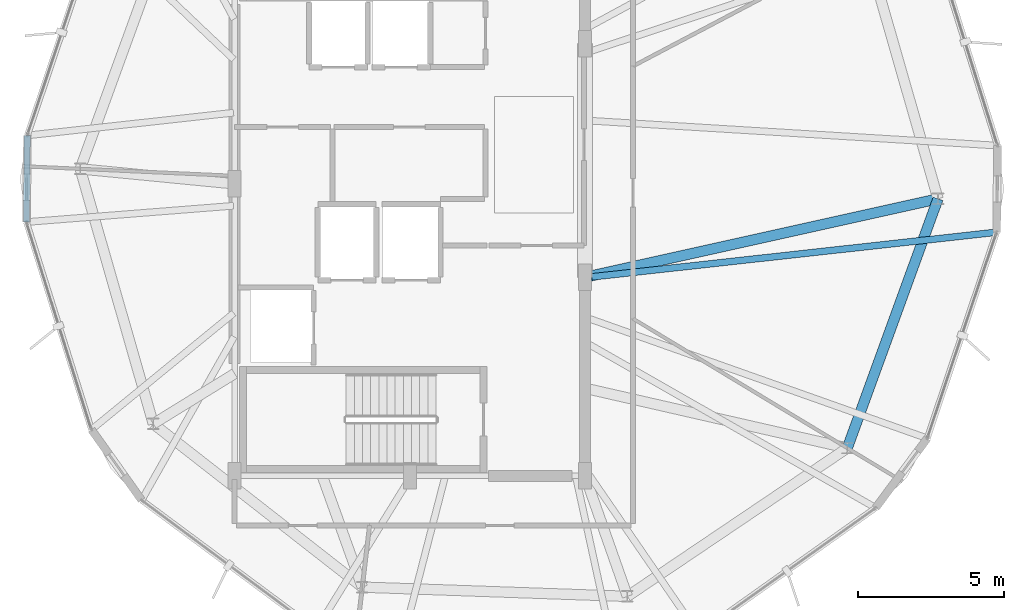
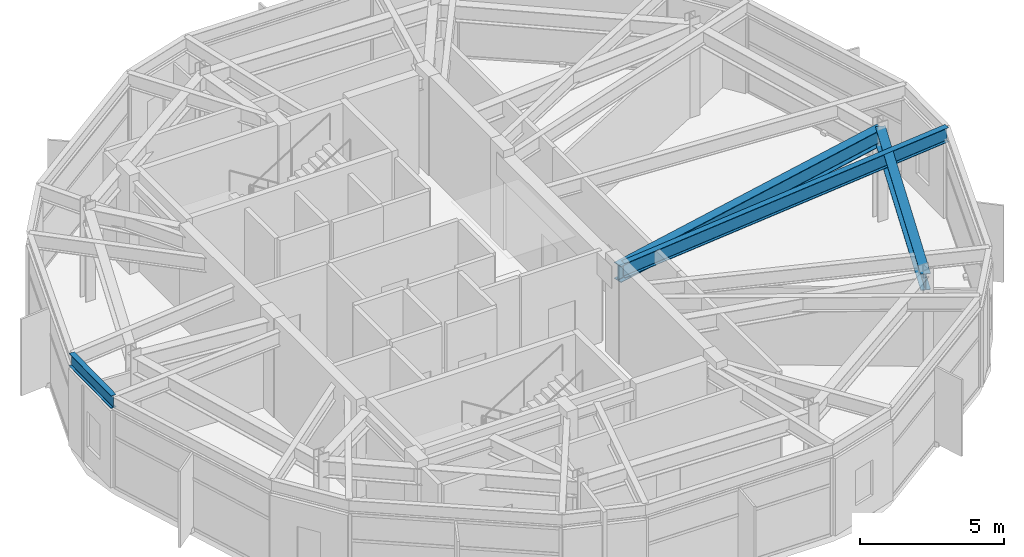
# One storey, part 7 of 19: 4 beams.
"""IFC4 building model written with IfcOpenShell, lengths in metres."""

from ifc_helpers import new_model, si_unit, direction, frame, origin, origin_2d, place, context, subcontext, project, spatial, i_section, extrude, material, material_profile, profile_set, type_object, element, save


model = new_model("IFC4")

# Units and contexts
model_context = context("Model", 3, precision=1e-05, world=origin(), true_north=direction((0.0, 1.0)))
body_context = subcontext(model_context, "Body", "Model", "MODEL_VIEW")
ifc_project = project(units=[si_unit("LENGTHUNIT", "METRE"), si_unit("AREAUNIT", "SQUARE_METRE"), si_unit("VOLUMEUNIT", "CUBIC_METRE"), si_unit("PLANEANGLEUNIT", "RADIAN"), si_unit("MASSUNIT", "GRAM", prefix="KILO")], contexts=[model_context])

# Site, building, storey
site_placement = place(None, origin())
site = spatial("IfcSite", under=ifc_project, at=site_placement, CompositionType="ELEMENT")
building_placement = place(site_placement, origin())
building = spatial("IfcBuilding", under=site, at=building_placement, Name="Soratama Intermodal Tower", CompositionType="ELEMENT")
storey_placement = place(building_placement, frame((0.0, 0.0, 297.25)))
storey = spatial("IfcBuildingStorey", under=building, at=storey_placement, Name="L75", CompositionType="ELEMENT", Elevation=297.25)

# Beams
ifc_material_1 = material(Name="Structural steel ASTM A992 Grade 50", Category="steel")
ifc_material_profile_1 = material_profile(ifc_material_1, i_section(OverallWidth=0.35498046875, OverallDepth=0.695068359375, WebThickness=0.015380859375, FlangeThickness=0.02490234375, FilletRadius=0.01611328125, at=origin_2d()), Name="W27X146")
ifc_profile_set_1 = profile_set([ifc_material_profile_1], Name="Structural steel ASTM A992 Grade 50")
beam_type_1 = type_object("IfcBeamType", Name="BM-RING-W27X146", PredefinedType="BEAM", material=ifc_profile_set_1)
beam_1_placement = place(storey_placement, frame((53.583984375, 15.949951171875, 3.547607421875), z_axis=(0.341989029925, 0.939703944555, 0.0), x_axis=(-0.939703944555, 0.341989029925, 0.0)))
element("IfcBeam", 1, at=beam_1_placement, inside=storey, type_object=beam_type_1, Name="BM-L75-RING-09", PredefinedType="BEAM", context=body_context, shape_type="SweptSolid", body=[
    extrude(i_section(OverallWidth=0.35498046875, OverallDepth=0.695068359375, WebThickness=0.015380859375, FlangeThickness=0.02490234375, FilletRadius=0.01611328125, at=origin_2d()), origin(), (0.0, 0.0, 1.0), 9.0849609375),
])
beam_2_placement = place(storey_placement, frame((44.60009765625, 21.800048828125, 3.547607421875), z_axis=(0.976184277327, 0.216942980298, 0.0), x_axis=(-0.216942980298, 0.976184277327, 0.0)))
element("IfcBeam", 2, at=beam_2_placement, inside=storey, type_object=beam_type_1, Name="BM-L75-RAD-10", PredefinedType="BEAM", context=body_context, shape_type="SweptSolid", body=[
    extrude(i_section(OverallWidth=0.35498046875, OverallDepth=0.695068359375, WebThickness=0.015380859375, FlangeThickness=0.02490234375, FilletRadius=0.01611328125, at=origin_2d()), origin(), (0.0, 0.0, 1.0), 12.3857421875),
])
ifc_material_2 = material(Name="Structural steel ASTM A992 Grade 50", Category="steel")
ifc_material_profile_2 = material_profile(ifc_material_2, i_section(OverallWidth=0.2099609375, OverallDepth=0.537109375, WebThickness=0.010986328125, FlangeThickness=0.017333984375, FilletRadius=0.012939453125, at=origin_2d()), Name="W21X68")
ifc_profile_set_2 = profile_set([ifc_material_profile_2], Name="Structural steel ASTM A992 Grade 50")
beam_type_2 = type_object("IfcBeamType", Name="BM-SPN-W21X68", PredefinedType="SPANDREL", material=ifc_profile_set_2)
beam_3_placement = place(storey_placement, frame((25.498046875, 26.656982421875, 3.62646484375), z_axis=(-0.010452964155, -0.999945366278, 0.0), x_axis=(0.999945366278, -0.010452964155, 0.0)))
element("IfcBeam", 3, at=beam_3_placement, inside=storey, type_object=beam_type_2, Name="BS-L75-CRN03", PredefinedType="SPANDREL", context=body_context, shape_type="SweptSolid", body=[
    extrude(i_section(OverallWidth=0.2099609375, OverallDepth=0.537109375, WebThickness=0.010986328125, FlangeThickness=0.017333984375, FilletRadius=0.012939453125, at=origin_2d()), origin(), (0.0, 0.0, 1.0), 2.96630859375),
])
ifc_material_3 = material(Name="Structural steel ASTM A992 Grade 50", Category="steel")
ifc_material_profile_3 = material_profile(ifc_material_3, i_section(OverallWidth=0.22900390625, OverallDepth=0.612060546875, WebThickness=0.011962890625, FlangeThickness=0.01953125, FilletRadius=0.012939453125, at=origin_2d()), Name="W24X84")
ifc_profile_set_3 = profile_set([ifc_material_profile_3], Name="Structural steel ASTM A992 Grade 50")
beam_type_3 = type_object("IfcBeamType", Name="BM-TIE-W24X84", PredefinedType="BEAM", material=ifc_profile_set_3)
beam_4_placement = place(storey_placement, frame((44.833984375, 21.81201171875, 3.589111328125), z_axis=(0.993961164601, 0.109732416654, 0.0), x_axis=(-0.109732416654, 0.993961164601, 0.0)))
element("IfcBeam", 4, at=beam_4_placement, inside=storey, type_object=beam_type_3, Name="BM-L75-TIE1-08", PredefinedType="BEAM", context=body_context, shape_type="SweptSolid", body=[
    extrude(i_section(OverallWidth=0.22900390625, OverallDepth=0.612060546875, WebThickness=0.011962890625, FlangeThickness=0.01953125, FilletRadius=0.012939453125, at=origin_2d()), origin(), (0.0, 0.0, 1.0), 13.9521484375),
])

save(model, "model.ifc")
